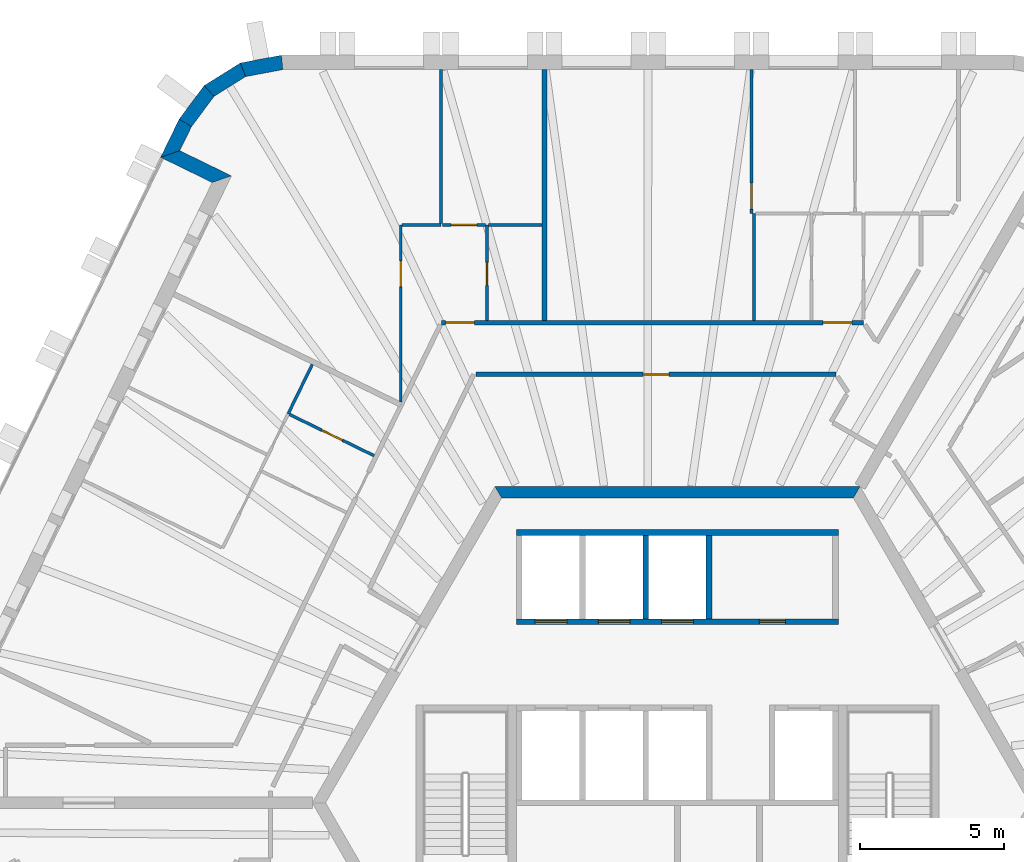
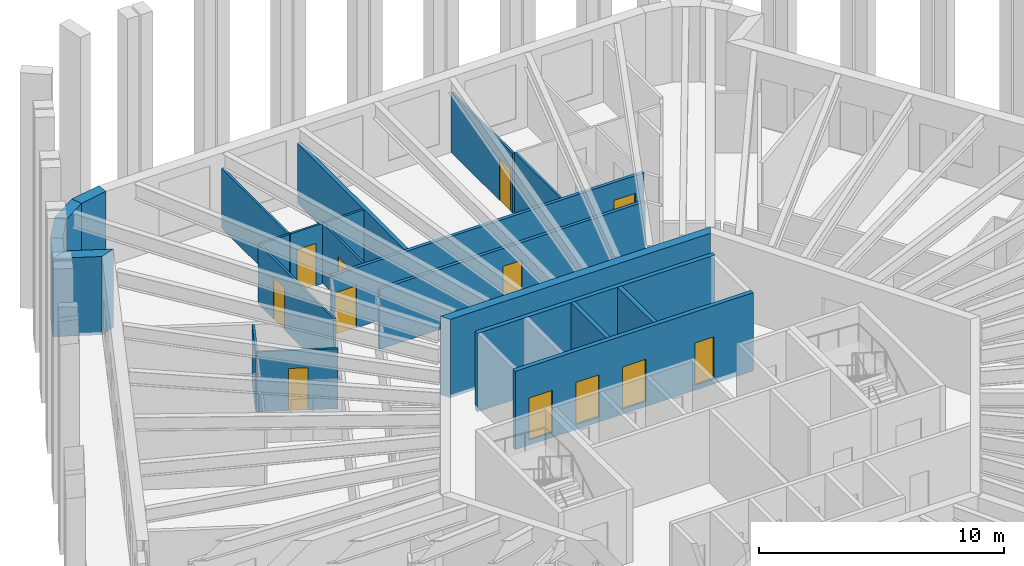
# One storey, part 9 of 13: 23 walls, 12 doors, 12 openings.
"""IFC4 building model written with IfcOpenShell, lengths in metres."""

from ifc_helpers import new_model, si_unit, direction, frame, frame_2d, origin, place, context, subcontext, project, spatial, polyline, rectangle, outline, extrude, material, layer, layer_set, type_object, element, fill, save


model = new_model("IFC4")

# Units and contexts
model_context = context("Model", 3, precision=1e-05, world=origin(), true_north=direction((0.0, 1.0)))
body_context = subcontext(model_context, "Body", "Model", "MODEL_VIEW")
ifc_project = project(units=[si_unit("LENGTHUNIT", "METRE"), si_unit("AREAUNIT", "SQUARE_METRE"), si_unit("VOLUMEUNIT", "CUBIC_METRE"), si_unit("PLANEANGLEUNIT", "RADIAN"), si_unit("MASSUNIT", "GRAM", prefix="KILO")], contexts=[model_context])

# Site, building, storey
site_placement = place(None, origin())
site = spatial("IfcSite", under=ifc_project, at=site_placement, CompositionType="ELEMENT")
building_placement = place(site_placement, origin())
building = spatial("IfcBuilding", under=site, at=building_placement, Name="Tarnside Tower", CompositionType="ELEMENT")
storey_placement = place(building_placement, frame((0.0, 0.0, 314.699951171875)))
storey = spatial("IfcBuildingStorey", under=building, at=storey_placement, Name="L76", CompositionType="ELEMENT", Elevation=314.699951171875)

# Wall
ifc_material_1 = material(Name="Gypsum board partition on steel studs", Category="steel")
ifc_layer_1 = layer(ifc_material_1, 0.10009765625)
ifc_layer_set_1 = layer_set([ifc_layer_1], Name="Bathroom wall 100")
wall_type_1 = type_object("IfcWallType", Name="Bathroom wall 100", PredefinedType="PARTITIONING", material=ifc_layer_set_1)
wall_1_placement = place(storey_placement, frame((2.6669921875, 16.77490234375, 0.0), z_axis=(0.0, 0.0, 1.0), x_axis=(0.0, 1.0, 0.0)))
element("IfcWall", 1, at=wall_1_placement, inside=storey, type_object=wall_type_1, Name="Bathroom wall 25085", PredefinedType="PARTITIONING", context=body_context, shape_type="SweptSolid", body=[
    extrude(rectangle(XDim=3.72509765625, YDim=0.10009765625, at=frame_2d((1.862548828125, 0.0))), origin(), (0.0, 0.0, 1.0), 2.98779296875),
])

# Wall, opening, door
wall_2_placement = place(storey_placement, frame((-6.624755859375, 16.77490234375, 0.0), z_axis=(0.0, 0.0, 1.0), x_axis=(0.0, 1.0, 0.0)))
wall_2 = element("IfcWall", 2, at=wall_2_placement, inside=storey, type_object=wall_type_1, Name="Bathroom wall 25101", PredefinedType="PARTITIONING", context=body_context, shape_type="SweptSolid", body=[
    extrude(rectangle(XDim=3.3251953125, YDim=0.10009765625, at=frame_2d((1.66259765625, 0.0))), origin(), (0.0, 0.0, 1.0), 2.98779296875),
])
opening_1_placement = place(wall_2_placement, frame((1.22509765625, 0.0, 0.0)))
opening_1 = element("IfcOpeningElement", 3, at=opening_1_placement, cuts=wall_2, Name="Opening D-B1", PredefinedType="OPENING", context=body_context, shape_type="SweptSolid", body=[
    extrude(rectangle(XDim=0.800048828125, YDim=2.10009765625, at=frame_2d((0.39990234375, 1.050048828125))), frame((0.0, 0.06005859375, 0.0), z_axis=(0.0, -1.0, 0.0), x_axis=(1.0, 0.0, 0.0)), (0.0, 0.0, 1.0), 0.1201171875),
])
ifc_material_2 = material(Name="Timber door leaf", Category="wood")
door_type_1 = type_object("IfcDoorType", Name="Bathroom door 800", OperationType="NOTDEFINED", PredefinedType="DOOR", material=ifc_material_2)
door_1_placement = place(opening_1_placement, origin())
door_1 = element("IfcDoor", 4, at=door_1_placement, inside=storey, type_object=door_type_1, Name="Bathroom door 25013", OperationType="SINGLE_SWING_RIGHT", OverallHeight=2.10009765625, OverallWidth=0.800048828125, PredefinedType="DOOR", context=body_context, shape_type="SweptSolid", body=[
    extrude(rectangle(XDim=0.800048828125, YDim=2.10009765625, at=frame_2d((0.39990234375, 1.050048828125))), frame((0.0, 0.02490234375, 0.0), z_axis=(0.0, -1.0, 0.0), x_axis=(1.0, 0.0, 0.0)), (0.0, 0.0, 1.0), 0.050048828125),
])
fill(opening_1, door_1)

# Wall
wall_3_placement = place(storey_placement, frame((-4.71484375, 20.10009765625, 0.0), z_axis=(0.0, 0.0, 1.0), x_axis=(-1.0, 0.0, 0.0)))
element("IfcWall", 5, at=wall_3_placement, inside=storey, type_object=wall_type_1, Name="Bathroom wall 25103", PredefinedType="PARTITIONING", context=body_context, shape_type="SweptSolid", body=[
    extrude(rectangle(XDim=1.862060546875, YDim=0.10009765625, at=frame_2d((0.93115234375, 0.0))), origin(), (0.0, 0.0, 1.0), 2.98779296875),
])

# Wall, opening, door
wall_4_placement = place(storey_placement, frame((-10.551025390625, 12.07177734375, 0.0), z_axis=(0.0, 0.0, 1.0), x_axis=(-0.898803726577, 0.438351298723, 0.0)))
wall_4 = element("IfcWall", 6, at=wall_4_placement, inside=storey, type_object=wall_type_1, Name="Bathroom wall 25108", PredefinedType="PARTITIONING", context=body_context, shape_type="SweptSolid", body=[
    extrude(rectangle(XDim=3.324951171875, YDim=0.10009765625, at=frame_2d((1.66259765625, 0.0))), origin(), (0.0, 0.0, 1.0), 2.98779296875),
])
opening_2_placement = place(wall_4_placement, frame((1.22509765625, 0.0, 0.0)))
opening_2 = element("IfcOpeningElement", 7, at=opening_2_placement, cuts=wall_4, Name="Opening D-B1", PredefinedType="OPENING", context=body_context, shape_type="SweptSolid", body=[
    extrude(rectangle(XDim=0.800048828125, YDim=2.10009765625, at=frame_2d((0.39990234375, 1.050048828125))), frame((0.0, 0.06005859375, 0.0), z_axis=(0.0, -1.0, 0.0), x_axis=(1.0, 0.0, 0.0)), (0.0, 0.0, 1.0), 0.1201171875),
])
door_2_placement = place(opening_2_placement, origin())
door_2 = element("IfcDoor", 8, at=door_2_placement, inside=storey, type_object=door_type_1, Name="Bathroom door 25017", OperationType="SINGLE_SWING_RIGHT", OverallHeight=2.10009765625, OverallWidth=0.800048828125, PredefinedType="DOOR", context=body_context, shape_type="SweptSolid", body=[
    extrude(rectangle(XDim=0.800048828125, YDim=2.10009765625, at=frame_2d((0.39990234375, 1.050048828125))), frame((0.0, 0.02490234375, 0.0), z_axis=(0.0, -1.0, 0.0), x_axis=(1.0, 0.0, 0.0)), (0.0, 0.0, 1.0), 0.050048828125),
])
fill(opening_2, door_2)

# Walls
wall_5_placement = place(storey_placement, frame((-12.7021484375, 15.245849609375, 0.0), z_axis=(0.0, 0.0, 1.0), x_axis=(-0.438355705964, -0.898801577128, 0.0)))
element("IfcWall", 9, at=wall_5_placement, inside=storey, type_object=wall_type_1, Name="Bathroom wall 25111", PredefinedType="PARTITIONING", context=body_context, shape_type="SweptSolid", body=[
    extrude(rectangle(XDim=1.912109375, YDim=0.10009765625, at=frame_2d((0.9560546875, 0.0))), origin(), (0.0, 0.0, 1.0), 2.98779296875),
])
ifc_material_3 = material(Name="Concrete C60/75", Category="concrete")
ifc_layer_2 = layer(ifc_material_3, 0.39990234375)
ifc_layer_set_2 = layer_set([ifc_layer_2], Name="Core wall Z3 400 C60/75")
wall_type_2 = type_object("IfcWallType", Name="Core wall Z3 400 C60/75", PredefinedType="SHEAR", material=ifc_layer_set_2)
wall_6_placement = place(storey_placement, frame((6.2353515625, 10.800048828125, -0.14990234375), z_axis=(0.0, 0.0, 1.0), x_axis=(-1.0, 0.0, 0.0)))
element("IfcWall", 10, at=wall_6_placement, inside=storey, type_object=wall_type_2, Name="L76 core wall face 1", PredefinedType="SHEAR", context=body_context, shape_type="SweptSolid", body=[
    extrude(outline(polyline([(-0.115478515625, -0.199951171875), (12.586181640625, -0.199951171875), (12.355224609375, 0.199951171875), (0.115478515625, 0.199951171875), (-0.115478515625, -0.199951171875)])), origin(), (0.0, 0.0, 1.0), 3.89990234375),
])

# Wall, openings, doors
ifc_layer_3 = layer(ifc_material_1, 0.14990234375)
ifc_layer_set_3 = layer_set([ifc_layer_3], Name="Corridor wall 150 EI 60")
wall_type_3 = type_object("IfcWallType", Name="Corridor wall 150 EI 60", PredefinedType="PARTITIONING", material=ifc_layer_set_3)
wall_7_placement = place(storey_placement, frame((6.467041015625, 16.699951171875, 0.0), z_axis=(0.0, 0.0, 1.0), x_axis=(-1.0, 0.0, 0.0)))
wall_7 = element("IfcWall", 11, at=wall_7_placement, inside=storey, type_object=wall_type_3, Name="Corridor wall 25001", PredefinedType="PARTITIONING", context=body_context, shape_type="SweptSolid", body=[
    extrude(rectangle(XDim=14.67724609375, YDim=0.14990234375, at=frame_2d((7.338623046875, 0.0))), origin(), (0.0, 0.0, 1.0), 2.98779296875),
])
opening_3_placement = place(wall_7_placement, frame((0.39990234375, 0.0, 0.0)))
opening_3 = element("IfcOpeningElement", 12, at=opening_3_placement, cuts=wall_7, Name="Opening D-E1", PredefinedType="OPENING", context=body_context, shape_type="SweptSolid", body=[
    extrude(rectangle(XDim=1.0, YDim=2.10009765625, at=frame_2d((0.5, 1.050048828125))), frame((0.0, 0.0849609375, 0.0), z_axis=(0.0, -1.0, 0.0), x_axis=(1.0, 0.0, 0.0)), (0.0, 0.0, 1.0), 0.169921875),
])
opening_4_placement = place(wall_7_placement, frame((13.527099609375, 0.0, 0.0)))
opening_4 = element("IfcOpeningElement", 13, at=opening_4_placement, cuts=wall_7, Name="Opening D-E1", PredefinedType="OPENING", context=body_context, shape_type="SweptSolid", body=[
    extrude(rectangle(XDim=1.0, YDim=2.10009765625, at=frame_2d((0.5, 1.050048828125))), frame((0.0, 0.0849609375, 0.0), z_axis=(0.0, -1.0, 0.0), x_axis=(1.0, 0.0, 0.0)), (0.0, 0.0, 1.0), 0.169921875),
])
door_type_2 = type_object("IfcDoorType", Name="Unit entrance door 1000 FD30S", OperationType="NOTDEFINED", PredefinedType="DOOR", material=ifc_material_2)
door_3_placement = place(opening_3_placement, origin())
door_3 = element("IfcDoor", 14, at=door_3_placement, inside=storey, type_object=door_type_2, Name="Unit door 25001", OperationType="SINGLE_SWING_RIGHT", OverallHeight=2.10009765625, OverallWidth=1.0, PredefinedType="DOOR", context=body_context, shape_type="SweptSolid", body=[
    extrude(rectangle(XDim=1.0, YDim=2.10009765625, at=frame_2d((0.5, 1.050048828125))), frame((0.0, 0.02490234375, 0.0), z_axis=(0.0, -1.0, 0.0), x_axis=(1.0, 0.0, 0.0)), (0.0, 0.0, 1.0), 0.050048828125),
])
fill(opening_3, door_3)
door_4_placement = place(opening_4_placement, origin())
door_4 = element("IfcDoor", 15, at=door_4_placement, inside=storey, type_object=door_type_2, Name="Unit door 25012", OperationType="SINGLE_SWING_LEFT", OverallHeight=2.10009765625, OverallWidth=1.0, PredefinedType="DOOR", context=body_context, shape_type="SweptSolid", body=[
    extrude(rectangle(XDim=1.0, YDim=2.10009765625, at=frame_2d((0.5, 1.050048828125))), frame((0.0, 0.02490234375, 0.0), z_axis=(0.0, -1.0, 0.0), x_axis=(1.0, 0.0, 0.0)), (0.0, 0.0, 1.0), 0.050048828125),
])
fill(opening_4, door_4)

# Wall, opening, door
wall_8_placement = place(storey_placement, frame((-7.001953125, 14.89990234375, 0.0), z_axis=(0.0, 0.0, 1.0), x_axis=(1.0, 0.0, 0.0)))
wall_8 = element("IfcWall", 16, at=wall_8_placement, inside=storey, type_object=wall_type_3, Name="Corridor wall 25021", PredefinedType="PARTITIONING", context=body_context, shape_type="SweptSolid", body=[
    extrude(rectangle(XDim=12.511962890625, YDim=0.14990234375, at=frame_2d((6.255859375, 0.0))), origin(), (0.0, 0.0, 1.0), 2.98779296875),
])
opening_5_placement = place(wall_8_placement, frame((5.805908203125, 0.0, 0.0)))
opening_5 = element("IfcOpeningElement", 17, at=opening_5_placement, cuts=wall_8, Name="Opening D-S1", PredefinedType="OPENING", context=body_context, shape_type="SweptSolid", body=[
    extrude(rectangle(XDim=0.89990234375, YDim=2.10009765625, at=frame_2d((0.449951171875, 1.050048828125))), frame((0.0, 0.0849609375, 0.0), z_axis=(0.0, -1.0, 0.0), x_axis=(1.0, 0.0, 0.0)), (0.0, 0.0, 1.0), 0.169921875),
])
door_type_3 = type_object("IfcDoorType", Name="Service room door 900 FD30S", OperationType="NOTDEFINED", PredefinedType="DOOR", material=ifc_material_2)
door_5_placement = place(opening_5_placement, origin())
door_5 = element("IfcDoor", 18, at=door_5_placement, inside=storey, type_object=door_type_3, Name="Service door 25071", OperationType="SINGLE_SWING_LEFT", OverallHeight=2.10009765625, OverallWidth=0.89990234375, PredefinedType="DOOR", context=body_context, shape_type="SweptSolid", body=[
    extrude(rectangle(XDim=0.89990234375, YDim=2.10009765625, at=frame_2d((0.449951171875, 1.050048828125))), frame((0.0, 0.02490234375, 0.0), z_axis=(0.0, -1.0, 0.0), x_axis=(1.0, 0.0, 0.0)), (0.0, 0.0, 1.0), 0.050048828125),
])
fill(opening_5, door_5)

# Wall
ifc_layer_4 = layer(ifc_material_1, 0.179931640625)
ifc_layer_set_4 = layer_set([ifc_layer_4], Name="Demising wall 180 EI 60")
wall_type_4 = type_object("IfcWallType", Name="Demising wall 180 EI 60", PredefinedType="PARTITIONING", material=ifc_layer_set_4)
wall_9_placement = place(storey_placement, frame((-4.624755859375, 25.5, 0.0), z_axis=(0.0, 0.0, 1.0), x_axis=(0.0, -1.0, 0.0)))
element("IfcWall", 19, at=wall_9_placement, inside=storey, type_object=wall_type_4, Name="Demising wall 25087", PredefinedType="PARTITIONING", context=body_context, shape_type="SweptSolid", body=[
    extrude(rectangle(XDim=8.72509765625, YDim=0.179931640625, at=frame_2d((4.362548828125, 0.0))), origin(), (0.0, 0.0, 1.0), 2.98779296875),
])

# Wall, openings, doors
ifc_material_4 = material(Name="Concrete C40/50", Category="concrete")
ifc_layer_5 = layer(ifc_material_4, 0.199951171875)
ifc_layer_set_5 = layer_set([ifc_layer_5], Name="Lift shaft wall 200 C40/50")
wall_type_5 = type_object("IfcWallType", Name="Lift shaft wall 200 C40/50", PredefinedType="SHEAR", material=ifc_layer_set_5)
wall_10_placement = place(storey_placement, frame((-5.60009765625, 6.300048828125, -0.25), z_axis=(0.0, 0.0, 1.0), x_axis=(1.0, 0.0, 0.0)))
wall_10 = element("IfcWall", 20, at=wall_10_placement, inside=storey, type_object=wall_type_5, Name="L76 lift shaft front wall R1", PredefinedType="SHEAR", context=body_context, shape_type="SweptSolid", body=[
    extrude(rectangle(XDim=11.2001953125, YDim=0.199951171875, at=frame_2d((5.60009765625, 0.0))), origin(), (0.0, 0.0, 1.0), 3.900146484375),
])
opening_6_placement = place(wall_10_placement, frame((8.449951171875, 0.0, 0.25)))
opening_6 = element("IfcOpeningElement", 21, at=opening_6_placement, cuts=wall_10, Name="Opening CD-room", PredefinedType="OPENING", context=body_context, shape_type="SweptSolid", body=[
    extrude(rectangle(XDim=0.89990234375, YDim=2.10009765625, at=frame_2d((0.449951171875, 1.050048828125))), frame((0.0, 0.10986328125, 0.0), z_axis=(0.0, -1.0, 0.0), x_axis=(1.0, 0.0, 0.0)), (0.0, 0.0, 1.0), 0.219970703125),
])
opening_7_placement = place(wall_10_placement, frame((0.64990234375, 0.0, 0.25)))
opening_7 = element("IfcOpeningElement", 22, at=opening_7_placement, cuts=wall_10, Name="Opening LD", PredefinedType="OPENING", context=body_context, shape_type="SweptSolid", body=[
    extrude(rectangle(XDim=1.10009765625, YDim=2.10009765625, at=frame_2d((0.550048828125, 1.050048828125))), frame((0.0, 0.10986328125, 0.0), z_axis=(0.0, -1.0, 0.0), x_axis=(1.0, 0.0, 0.0)), (0.0, 0.0, 1.0), 0.219970703125),
])
opening_8_placement = place(wall_10_placement, frame((2.85009765625, 0.0, 0.25)))
opening_8 = element("IfcOpeningElement", 23, at=opening_8_placement, cuts=wall_10, Name="Opening LD", PredefinedType="OPENING", context=body_context, shape_type="SweptSolid", body=[
    extrude(rectangle(XDim=1.10009765625, YDim=2.10009765625, at=frame_2d((0.550048828125, 1.050048828125))), frame((0.0, 0.10986328125, 0.0), z_axis=(0.0, -1.0, 0.0), x_axis=(1.0, 0.0, 0.0)), (0.0, 0.0, 1.0), 0.219970703125),
])
opening_9_placement = place(wall_10_placement, frame((5.050048828125, 0.0, 0.25)))
opening_9 = element("IfcOpeningElement", 24, at=opening_9_placement, cuts=wall_10, Name="Opening LD", PredefinedType="OPENING", context=body_context, shape_type="SweptSolid", body=[
    extrude(rectangle(XDim=1.10009765625, YDim=2.10009765625, at=frame_2d((0.550048828125, 1.050048828125))), frame((0.0, 0.10986328125, 0.0), z_axis=(0.0, -1.0, 0.0), x_axis=(1.0, 0.0, 0.0)), (0.0, 0.0, 1.0), 0.219970703125),
])
ifc_material_5 = material(Name="Stainless steel", Category="steel")
door_type_4 = type_object("IfcDoorType", Name="Lift landing door 1100x2100", OperationType="NOTDEFINED", PredefinedType="DOOR", material=ifc_material_5)
door_6_placement = place(opening_7_placement, origin())
door_6 = element("IfcDoor", 25, at=door_6_placement, inside=storey, type_object=door_type_4, Name="High-rise lift 1 landing door L76", OperationType="SLIDING_TO_LEFT", OverallHeight=2.10009765625, OverallWidth=1.10009765625, PredefinedType="DOOR", context=body_context, shape_type="SweptSolid", body=[
    extrude(rectangle(XDim=1.10009765625, YDim=2.10009765625, at=frame_2d((0.550048828125, 1.050048828125))), frame((0.0, 0.02490234375, 0.0), z_axis=(0.0, -1.0, 0.0), x_axis=(1.0, 0.0, 0.0)), (0.0, 0.0, 1.0), 0.050048828125),
])
fill(opening_7, door_6)
door_7_placement = place(opening_8_placement, origin())
door_7 = element("IfcDoor", 26, at=door_7_placement, inside=storey, type_object=door_type_4, Name="High-rise lift 2 landing door L76", OperationType="SLIDING_TO_LEFT", OverallHeight=2.10009765625, OverallWidth=1.10009765625, PredefinedType="DOOR", context=body_context, shape_type="SweptSolid", body=[
    extrude(rectangle(XDim=1.10009765625, YDim=2.10009765625, at=frame_2d((0.550048828125, 1.050048828125))), frame((0.0, 0.02490234375, 0.0), z_axis=(0.0, -1.0, 0.0), x_axis=(1.0, 0.0, 0.0)), (0.0, 0.0, 1.0), 0.050048828125),
])
fill(opening_8, door_7)
door_8_placement = place(opening_9_placement, origin())
door_8 = element("IfcDoor", 27, at=door_8_placement, inside=storey, type_object=door_type_4, Name="High-rise lift 3 landing door L76", OperationType="SLIDING_TO_LEFT", OverallHeight=2.10009765625, OverallWidth=1.10009765625, PredefinedType="DOOR", context=body_context, shape_type="SweptSolid", body=[
    extrude(rectangle(XDim=1.10009765625, YDim=2.10009765625, at=frame_2d((0.550048828125, 1.050048828125))), frame((0.0, 0.02490234375, 0.0), z_axis=(0.0, -1.0, 0.0), x_axis=(1.0, 0.0, 0.0)), (0.0, 0.0, 1.0), 0.050048828125),
])
fill(opening_9, door_8)
ifc_material_6 = material(Name="Steel fire door", Category="steel")
door_type_5 = type_object("IfcDoorType", Name="Room door FD60 900x2100", OperationType="NOTDEFINED", PredefinedType="DOOR", material=ifc_material_6)
door_9_placement = place(opening_6_placement, origin())
door_9 = element("IfcDoor", 28, at=door_9_placement, inside=storey, type_object=door_type_5, Name="L76 core room door FC1", OperationType="SINGLE_SWING_LEFT", OverallHeight=2.10009765625, OverallWidth=0.89990234375, PredefinedType="DOOR", context=body_context, shape_type="SweptSolid", body=[
    extrude(rectangle(XDim=0.89990234375, YDim=2.10009765625, at=frame_2d((0.449951171875, 1.050048828125))), frame((0.0, 0.02490234375, 0.0), z_axis=(0.0, -1.0, 0.0), x_axis=(1.0, 0.0, 0.0)), (0.0, 0.0, 1.0), 0.050048828125),
])
fill(opening_6, door_9)

# Walls
wall_11_placement = place(storey_placement, frame((-5.60009765625, 9.39990234375, -0.25), z_axis=(0.0, 0.0, 1.0), x_axis=(1.0, 0.0, 0.0)))
element("IfcWall", 29, at=wall_11_placement, inside=storey, type_object=wall_type_5, Name="L76 lift shaft back wall R1", PredefinedType="SHEAR", context=body_context, shape_type="SweptSolid", body=[
    extrude(rectangle(XDim=11.2001953125, YDim=0.199951171875, at=frame_2d((5.60009765625, 0.0))), origin(), (0.0, 0.0, 1.0), 3.900146484375),
])
for number, where, z_axis, x_axis, name in (
    (30, (-1.10009765625, 6.39990234375, -0.25), (0.0, 0.0, 1.0), (0.0, 1.0, 0.0), "L76 lift shaft partition R13"),
    (31, (1.10009765625, 6.39990234375, -0.25), (0.0, 0.0, 1.0), (0.0, 1.0, 0.0), "L76 lift shaft partition R14"),
):
    element("IfcWall", number, at=place(storey_placement, frame(where, z_axis=z_axis, x_axis=x_axis)), inside=storey, type_object=wall_type_5, Name=name, PredefinedType="SHEAR", context=body_context, shape_type="SweptSolid", body=[
        extrude(rectangle(XDim=2.900146484375, YDim=0.199951171875, at=frame_2d((1.4501953125, 0.0))), origin(), (0.0, 0.0, 1.0), 3.900146484375),
    ])
ifc_material_7 = material(Name="Dark zinc cladding")
ifc_layer_6 = layer(ifc_material_7, 0.10205078125)
ifc_material_8 = material(Name="Concrete C60/75 precast", Category="concrete")
ifc_layer_7 = layer(ifc_material_8, 0.298095703125)
ifc_material_9 = material(Name="Mineral wool insulation")
ifc_layer_8 = layer(ifc_material_9, 0.10009765625)
ifc_layer_set_6 = layer_set([ifc_layer_6, ifc_layer_7, ifc_layer_8], Name="Loggia wall 500 zinc faced")
wall_type_6 = type_object("IfcWallType", Name="Loggia wall 500 zinc faced", PredefinedType="SOLIDWALL", material=ifc_layer_set_6)
wall_12_placement = place(storey_placement, frame((-17.11767578125, 23.643798828125, -0.14990234375), z_axis=(0.0, 0.0, 1.0), x_axis=(-0.438319390103, -0.898819287877, 0.0)))
element("IfcWall", 32, at=wall_12_placement, inside=storey, type_object=wall_type_6, Name="Tube wall L76 F2 stub 04", PredefinedType="SOLIDWALL", context=body_context, shape_type="SweptSolid", body=[
    extrude(outline(polyline([(-0.0234375, -0.25), (1.44970703125, -0.25), (0.94970703125, 0.25), (0.0234375, 0.25), (-0.0234375, -0.25)])), origin(), (0.0, 0.0, 1.0), 3.89990234375),
])
wall_13_placement = place(storey_placement, frame((-17.6435546875, 22.5654296875, -0.14990234375), z_axis=(0.0, 0.0, 1.0), x_axis=(0.898754367686, -0.43845249066, 0.0)))
element("IfcWall", 33, at=wall_13_placement, inside=storey, type_object=wall_type_6, Name="Tube wall L76 F2 return 05", PredefinedType="SOLIDWALL", context=body_context, shape_type="SweptSolid", body=[
    extrude(outline(polyline([(-0.25, -0.25), (1.75, -0.25), (2.25, 0.25), (0.25, 0.25), (-0.25, -0.25)])), origin(), (0.0, 0.0, 1.0), 3.89990234375),
])

# Wall, opening, door
ifc_layer_9 = layer(ifc_material_1, 0.10009765625)
ifc_layer_set_7 = layer_set([ifc_layer_9], Name="Partition 100")
wall_type_7 = type_object("IfcWallType", Name="Partition 100", PredefinedType="PARTITIONING", material=ifc_layer_set_7)
wall_14_placement = place(storey_placement, frame((2.5751953125, 20.5, 0.0), z_axis=(0.0, 0.0, 1.0), x_axis=(0.0, 1.0, 0.0)))
wall_14 = element("IfcWall", 34, at=wall_14_placement, inside=storey, type_object=wall_type_7, Name="Partition wall 25086", PredefinedType="PARTITIONING", context=body_context, shape_type="SweptSolid", body=[
    extrude(rectangle(XDim=5.0, YDim=0.10009765625, at=frame_2d((2.5, 0.0))), origin(), (0.0, 0.0, 1.0), 2.98779296875),
])
opening_10_placement = place(wall_14_placement, frame((0.14990234375, 0.0, 0.0)))
opening_10 = element("IfcOpeningElement", 35, at=opening_10_placement, cuts=wall_14, Name="Opening D-I1", PredefinedType="OPENING", context=body_context, shape_type="SweptSolid", body=[
    extrude(rectangle(XDim=0.89990234375, YDim=2.10009765625, at=frame_2d((0.449951171875, 1.050048828125))), frame((0.0, 0.06005859375, 0.0), z_axis=(0.0, -1.0, 0.0), x_axis=(1.0, 0.0, 0.0)), (0.0, 0.0, 1.0), 0.1201171875),
])
door_type_6 = type_object("IfcDoorType", Name="Internal door 900", OperationType="NOTDEFINED", PredefinedType="DOOR", material=ifc_material_2)
door_10_placement = place(opening_10_placement, origin())
door_10 = element("IfcDoor", 36, at=door_10_placement, inside=storey, type_object=door_type_6, Name="Internal door 25010", OperationType="SINGLE_SWING_RIGHT", OverallHeight=2.10009765625, OverallWidth=0.89990234375, PredefinedType="DOOR", context=body_context, shape_type="SweptSolid", body=[
    extrude(rectangle(XDim=0.89990234375, YDim=2.10009765625, at=frame_2d((0.449951171875, 1.050048828125))), frame((0.0, 0.02490234375, 0.0), z_axis=(0.0, -1.0, 0.0), x_axis=(1.0, 0.0, 0.0)), (0.0, 0.0, 1.0), 0.050048828125),
])
fill(opening_10, door_10)

wall_15_placement = place(storey_placement, frame((-9.624755859375, 13.9453125, 0.0), z_axis=(0.0, 0.0, 1.0), x_axis=(0.0, 1.0, 0.0)))
wall_15 = element("IfcWall", 37, at=wall_15_placement, inside=storey, type_object=wall_type_7, Name="Partition wall 25096", PredefinedType="PARTITIONING", context=body_context, shape_type="SweptSolid", body=[
    extrude(rectangle(XDim=6.15478515625, YDim=0.10009765625, at=frame_2d((3.077392578125, 0.0))), origin(), (0.0, 0.0, 1.0), 2.98779296875),
])
opening_11_placement = place(wall_15_placement, frame((4.004638671875, 0.0, 0.0)))
opening_11 = element("IfcOpeningElement", 38, at=opening_11_placement, cuts=wall_15, Name="Opening D-I1", PredefinedType="OPENING", context=body_context, shape_type="SweptSolid", body=[
    extrude(rectangle(XDim=0.89990234375, YDim=2.10009765625, at=frame_2d((0.449951171875, 1.050048828125))), frame((0.0, 0.06005859375, 0.0), z_axis=(0.0, -1.0, 0.0), x_axis=(1.0, 0.0, 0.0)), (0.0, 0.0, 1.0), 0.1201171875),
])
door_11_placement = place(opening_11_placement, origin())
door_11 = element("IfcDoor", 39, at=door_11_placement, inside=storey, type_object=door_type_6, Name="Internal door 25014", OperationType="SINGLE_SWING_LEFT", OverallHeight=2.10009765625, OverallWidth=0.89990234375, PredefinedType="DOOR", context=body_context, shape_type="SweptSolid", body=[
    extrude(rectangle(XDim=0.89990234375, YDim=2.10009765625, at=frame_2d((0.449951171875, 1.050048828125))), frame((0.0, 0.02490234375, 0.0), z_axis=(0.0, -1.0, 0.0), x_axis=(1.0, 0.0, 0.0)), (0.0, 0.0, 1.0), 0.050048828125),
])
fill(opening_11, door_11)

# Walls
wall_16_placement = place(storey_placement, frame((-9.57470703125, 20.10009765625, 0.0), z_axis=(0.0, 0.0, 1.0), x_axis=(1.0, 0.0, 0.0)))
element("IfcWall", 40, at=wall_16_placement, inside=storey, type_object=wall_type_7, Name="Partition wall 25097", PredefinedType="PARTITIONING", context=body_context, shape_type="SweptSolid", body=[
    extrude(rectangle(XDim=1.351806640625, YDim=0.10009765625, at=frame_2d((0.67578125, 0.0))), origin(), (0.0, 0.0, 1.0), 2.98779296875),
])
wall_17_placement = place(storey_placement, frame((-8.224853515625, 20.14990234375, 0.0), z_axis=(0.0, 0.0, 1.0), x_axis=(0.0, 1.0, 0.0)))
element("IfcWall", 41, at=wall_17_placement, inside=storey, type_object=wall_type_7, Name="Partition wall 25098", PredefinedType="PARTITIONING", context=body_context, shape_type="SweptSolid", body=[
    extrude(rectangle(XDim=5.35009765625, YDim=0.10009765625, at=frame_2d((2.675048828125, 0.0))), origin(), (0.0, 0.0, 1.0), 2.98779296875),
])

# Wall, opening, door
wall_18_placement = place(storey_placement, frame((-6.6728515625, 20.10009765625, 0.0), z_axis=(0.0, 0.0, 1.0), x_axis=(-1.0, 0.0, 0.0)))
wall_18 = element("IfcWall", 42, at=wall_18_placement, inside=storey, type_object=wall_type_7, Name="Partition wall 25102", PredefinedType="PARTITIONING", context=body_context, shape_type="SweptSolid", body=[
    extrude(rectangle(XDim=1.501953125, YDim=0.10009765625, at=frame_2d((0.7509765625, 0.0))), origin(), (0.0, 0.0, 1.0), 2.98779296875),
])
opening_12_placement = place(wall_18_placement, frame((0.302001953125, 0.0, 0.0)))
opening_12 = element("IfcOpeningElement", 43, at=opening_12_placement, cuts=wall_18, Name="Opening D-I1", PredefinedType="OPENING", context=body_context, shape_type="SweptSolid", body=[
    extrude(rectangle(XDim=0.89990234375, YDim=2.10009765625, at=frame_2d((0.449951171875, 1.050048828125))), frame((0.0, 0.06005859375, 0.0), z_axis=(0.0, -1.0, 0.0), x_axis=(1.0, 0.0, 0.0)), (0.0, 0.0, 1.0), 0.1201171875),
])
door_12_placement = place(opening_12_placement, origin())
door_12 = element("IfcDoor", 44, at=door_12_placement, inside=storey, type_object=door_type_6, Name="Internal door 25015", OperationType="SINGLE_SWING_RIGHT", OverallHeight=2.10009765625, OverallWidth=0.89990234375, PredefinedType="DOOR", context=body_context, shape_type="SweptSolid", body=[
    extrude(rectangle(XDim=0.89990234375, YDim=2.10009765625, at=frame_2d((0.449951171875, 1.050048828125))), frame((0.0, 0.02490234375, 0.0), z_axis=(0.0, -1.0, 0.0), x_axis=(1.0, 0.0, 0.0)), (0.0, 0.0, 1.0), 0.050048828125),
])
fill(opening_12, door_12)

# Walls
ifc_material_10 = material(Name="Facing brick", Category="masonry")
ifc_layer_10 = layer(ifc_material_10, 0.10205078125)
ifc_layer_11 = layer(ifc_material_8, 0.298095703125)
ifc_layer_12 = layer(ifc_material_9, 0.10009765625)
ifc_layer_set_8 = layer_set([ifc_layer_10, ifc_layer_11, ifc_layer_12], Name="Tube wall 500 brick faced")
wall_type_8 = type_object("IfcWallType", Name="Tube wall 500 brick faced", PredefinedType="SOLIDWALL", material=ifc_layer_set_8)
wall_19_placement = place(storey_placement, frame((-13.7470703125, 25.75, -0.14990234375), z_axis=(0.0, 0.0, 1.0), x_axis=(-0.982736538448, -0.185010529429, 0.0)))
element("IfcWall", 45, at=wall_19_placement, inside=storey, type_object=wall_type_8, Name="Tube wall L76 F1 chord 01", PredefinedType="SOLIDWALL", context=body_context, shape_type="SweptSolid", body=[
    extrude(outline(polyline([(-0.0234375, -0.25), (1.435302734375, -0.25), (1.341064453125, 0.25), (0.0234375, 0.25), (-0.0234375, -0.25)])), origin(), (0.0, 0.0, 1.0), 3.89990234375),
])
wall_20_placement = place(storey_placement, frame((-15.111328125, 25.4931640625, -0.14990234375), z_axis=(0.0, 0.0, 1.0), x_axis=(-0.847978544293, -0.530030554231, 0.0)))
element("IfcWall", 46, at=wall_20_placement, inside=storey, type_object=wall_type_8, Name="Tube wall L76 F1 chord 02", PredefinedType="SOLIDWALL", context=body_context, shape_type="SweptSolid", body=[
    extrude(outline(polyline([(-0.047119140625, -0.25), (1.435302734375, -0.25), (1.341064453125, 0.25), (0.047119140625, 0.25), (-0.047119140625, -0.25)])), origin(), (0.0, 0.0, 1.0), 3.89990234375),
])
wall_21_placement = place(storey_placement, frame((-16.28857421875, 24.75732421875, -0.14990234375), z_axis=(0.0, 0.0, 1.0), x_axis=(-0.597210785942, -0.802084332945, 0.0)))
element("IfcWall", 47, at=wall_21_placement, inside=storey, type_object=wall_type_8, Name="Tube wall L76 F1 chord 03", PredefinedType="SOLIDWALL", context=body_context, shape_type="SweptSolid", body=[
    extrude(outline(polyline([(-0.047119140625, -0.25), (1.41162109375, -0.25), (1.36474609375, 0.25), (0.047119140625, 0.25), (-0.047119140625, -0.25)])), origin(), (0.0, 0.0, 1.0), 3.89990234375),
])

save(model, "model.ifc")
